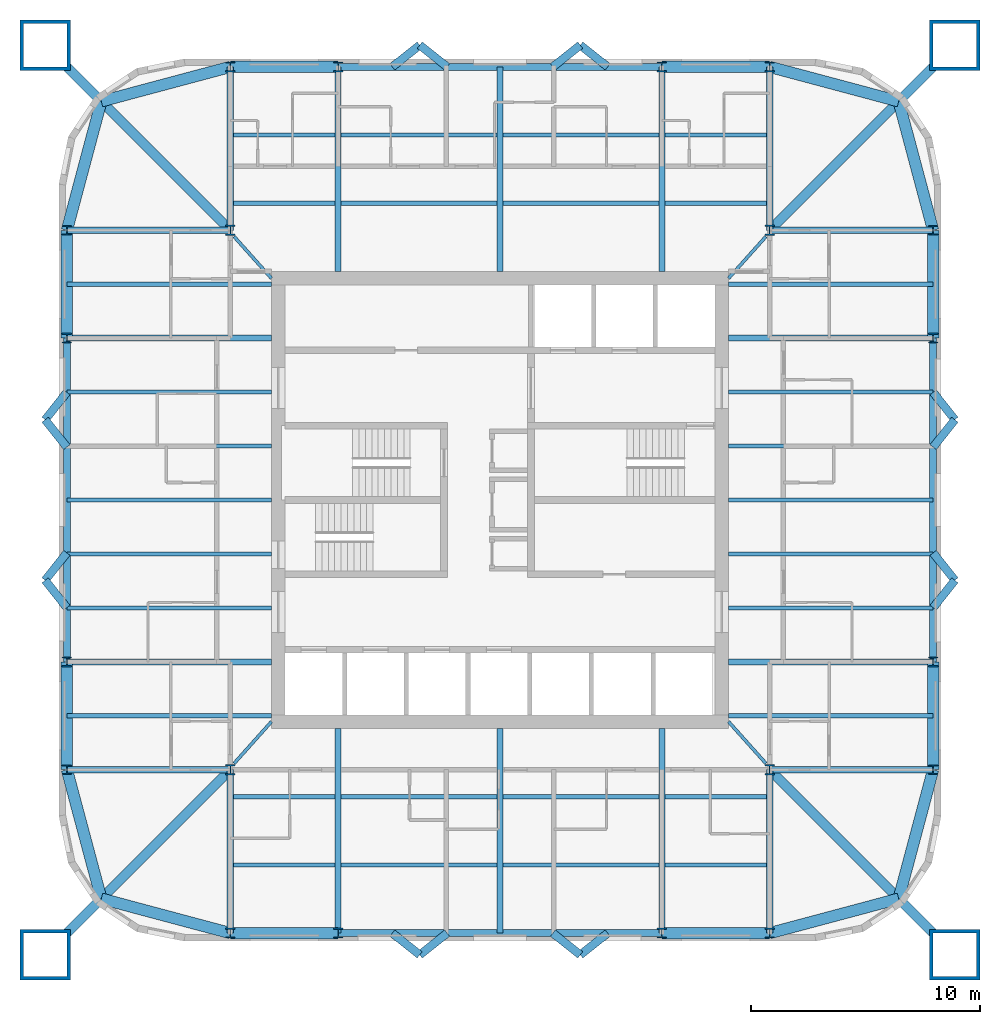
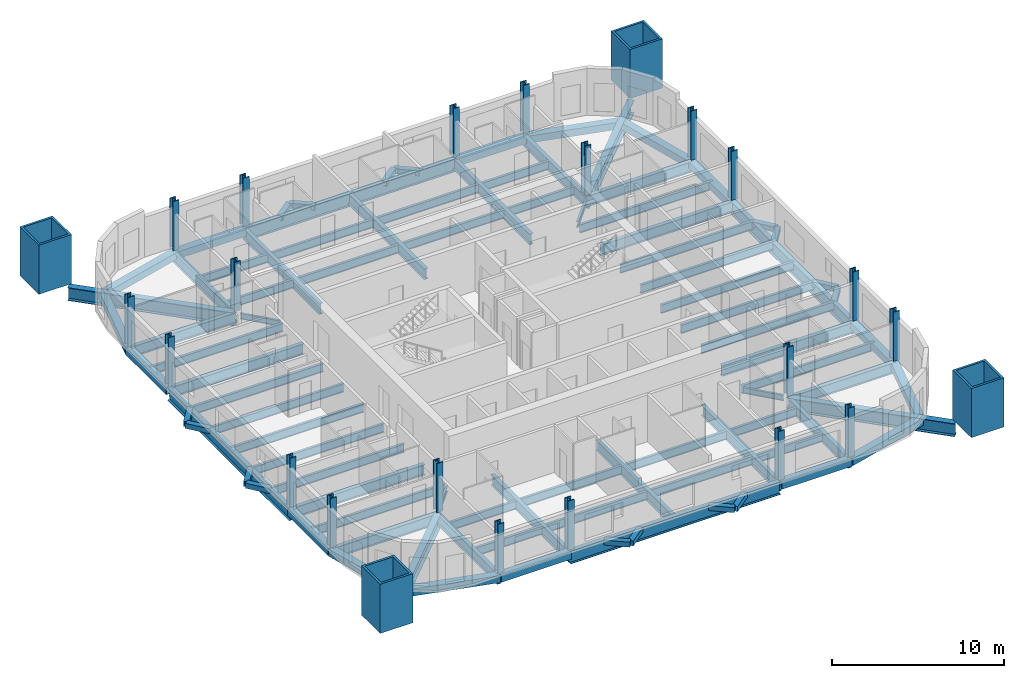
# One storey, part 1 of 9: 92 beams, 24 columns.
"""IFC4 building model written with IfcOpenShell, lengths in metres."""

from ifc_helpers import new_model, si_unit, direction, frame, origin, origin_2d, place, context, subcontext, project, spatial, hollow_rectangle, i_section, extrude, material, material_profile, profile_set, type_object, element, save


model = new_model("IFC4")

# Units and contexts
model_context = context("Model", 3, precision=1e-05, world=origin(), true_north=direction((0.0, 1.0)))
body_context = subcontext(model_context, "Body", "Model", "MODEL_VIEW")
ifc_project = project(units=[si_unit("LENGTHUNIT", "METRE"), si_unit("AREAUNIT", "SQUARE_METRE"), si_unit("VOLUMEUNIT", "CUBIC_METRE"), si_unit("PLANEANGLEUNIT", "RADIAN"), si_unit("MASSUNIT", "GRAM", prefix="KILO")], contexts=[model_context])

# Site, building, storey
site_placement = place(None, origin())
site = spatial("IfcSite", under=ifc_project, at=site_placement, CompositionType="ELEMENT")
building_placement = place(site_placement, origin())
building = spatial("IfcBuilding", under=site, at=building_placement, Name="Turquesa Mirador Hotel Tower", CompositionType="ELEMENT")
storey_placement = place(building_placement, frame((0.0, 0.0, 186.300048828125)))
storey = spatial("IfcBuildingStorey", under=building, at=storey_placement, Name="L50", CompositionType="ELEMENT", Elevation=186.300048828125)

# Columns
ifc_material_1 = material(Name="Steel ASTM A992 Grade 50", Category="steel")
ifc_material_profile_1 = material_profile(ifc_material_1, i_section(OverallWidth=0.411376953125, OverallDepth=0.434326171875, WebThickness=0.035888671875, FlangeThickness=0.057373046875, at=origin_2d()), Name="W14X311")
ifc_profile_set_1 = profile_set([ifc_material_profile_1], Name="Steel ASTM A992 Grade 50")
column_type_1 = type_object("IfcColumnType", Name="COLUMN W14X311", PredefinedType="COLUMN", material=ifc_profile_set_1)
for number, where, z_axis, x_axis, name in (
    (1, (36.050048828125, 33.199951171875, 0.0), (0.0, 0.0, 1.0), (1.0, 0.0, 0.0), "COL-L50-P--18.95--11.80"),
    (2, (36.050048828125, 37.919921875, 0.0), (0.0, 0.0, 1.0), (1.0, 0.0, 0.0), "COL-L50-P--18.95--7.08"),
    (3, (36.050048828125, 52.080078125, 0.0), (0.0, 0.0, 1.0), (1.0, 0.0, 0.0), "COL-L50-P--18.95-+7.08"),
    (4, (36.050048828125, 56.800048828125, 0.0), (0.0, 0.0, 1.0), (1.0, 0.0, 0.0), "COL-L50-P--18.95-+11.80"),
    (5, (43.199951171875, 26.050048828125, 0.0), (0.0, 0.0, 1.0), (1.0, 0.0, 0.0), "COL-L50-P--11.80--18.95"),
    (6, (43.199951171875, 63.949951171875, 0.0), (0.0, 0.0, 1.0), (1.0, 0.0, 0.0), "COL-L50-P--11.80-+18.95"),
    (7, (47.919921875, 26.050048828125, 0.0), (0.0, 0.0, 1.0), (1.0, 0.0, 0.0), "COL-L50-P--7.08--18.95"),
    (8, (47.919921875, 63.949951171875, 0.0), (0.0, 0.0, 1.0), (1.0, 0.0, 0.0), "COL-L50-P--7.08-+18.95"),
    (9, (62.080078125, 26.050048828125, 0.0), (0.0, 0.0, 1.0), (1.0, 0.0, 0.0), "COL-L50-P-+7.08--18.95"),
    (10, (62.080078125, 63.949951171875, 0.0), (0.0, 0.0, 1.0), (1.0, 0.0, 0.0), "COL-L50-P-+7.08-+18.95"),
    (11, (66.800048828125, 26.050048828125, 0.0), (0.0, 0.0, 1.0), (1.0, 0.0, 0.0), "COL-L50-P-+11.80--18.95"),
    (12, (66.800048828125, 63.949951171875, 0.0), (0.0, 0.0, 1.0), (1.0, 0.0, 0.0), "COL-L50-P-+11.80-+18.95"),
    (13, (73.949951171875, 33.199951171875, 0.0), (0.0, 0.0, 1.0), (1.0, 0.0, 0.0), "COL-L50-P-+18.95--11.80"),
    (14, (73.949951171875, 37.919921875, 0.0), (0.0, 0.0, 1.0), (1.0, 0.0, 0.0), "COL-L50-P-+18.95--7.08"),
    (15, (73.949951171875, 52.080078125, 0.0), (0.0, 0.0, 1.0), (1.0, 0.0, 0.0), "COL-L50-P-+18.95-+7.08"),
    (16, (73.949951171875, 56.800048828125, 0.0), (0.0, 0.0, 1.0), (1.0, 0.0, 0.0), "COL-L50-P-+18.95-+11.80"),
):
    element("IfcColumn", number, at=place(storey_placement, frame(where, z_axis=z_axis, x_axis=x_axis)), inside=storey, type_object=column_type_1, Name=name, PredefinedType="COLUMN", context=body_context, shape_type="SweptSolid", body=[
        extrude(i_section(OverallWidth=0.411376953125, OverallDepth=0.434326171875, WebThickness=0.035888671875, FlangeThickness=0.057373046875, at=origin_2d()), origin(), (0.0, 0.0, 1.0), 3.5),
    ])
ifc_material_2 = material(Name="Steel ASTM A992 Grade 50", Category="steel")
ifc_material_profile_2 = material_profile(ifc_material_2, i_section(OverallWidth=0.421630859375, OverallDepth=0.46484375, WebThickness=0.044921875, FlangeThickness=0.072509765625, at=origin_2d()), Name="W14X398")
ifc_profile_set_2 = profile_set([ifc_material_profile_2], Name="Steel ASTM A992 Grade 50")
column_type_2 = type_object("IfcColumnType", Name="COLUMN W14X398", PredefinedType="COLUMN", material=ifc_profile_set_2)
for number, where, z_axis, x_axis, name in (
    (17, (43.199951171875, 33.199951171875, 0.0), (0.0, 0.0, 1.0), (1.0, 0.0, 0.0), "COL-L50-K--11.80--11.80"),
    (18, (43.199951171875, 56.800048828125, 0.0), (0.0, 0.0, 1.0), (1.0, 0.0, 0.0), "COL-L50-K--11.80-+11.80"),
    (19, (66.800048828125, 33.199951171875, 0.0), (0.0, 0.0, 1.0), (1.0, 0.0, 0.0), "COL-L50-K-+11.80--11.80"),
    (20, (66.800048828125, 56.800048828125, 0.0), (0.0, 0.0, 1.0), (1.0, 0.0, 0.0), "COL-L50-K-+11.80-+11.80"),
):
    element("IfcColumn", number, at=place(storey_placement, frame(where, z_axis=z_axis, x_axis=x_axis)), inside=storey, type_object=column_type_2, Name=name, PredefinedType="COLUMN", context=body_context, shape_type="SweptSolid", body=[
        extrude(i_section(OverallWidth=0.421630859375, OverallDepth=0.46484375, WebThickness=0.044921875, FlangeThickness=0.072509765625, at=origin_2d()), origin(), (0.0, 0.0, 1.0), 3.5),
    ])
ifc_material_3 = material(Name="Steel ASTM A514 Grade Q", Category="steel")
ifc_material_profile_3 = material_profile(ifc_material_3, hollow_rectangle(XDim=2.199951171875, YDim=2.199951171875, WallThickness=0.14990234375, at=origin_2d()), Name="BOX2200X2200X150")
ifc_profile_set_3 = profile_set([ifc_material_profile_3], Name="Steel ASTM A514 Grade Q")
column_type_3 = type_object("IfcColumnType", Name="MEGA COLUMN BOX2200X2200X150", PredefinedType="COLUMN", material=ifc_profile_set_3)
for number, where, z_axis, x_axis, name in (
    (21, (74.89990234375, 64.89990234375, 0.0), (0.0, 0.0, 1.0), (1.0, 0.0, 0.0), "Mega column M1"),
    (22, (35.10009765625, 64.89990234375, 0.0), (0.0, 0.0, 1.0), (1.0, 0.0, 0.0), "Mega column M2"),
    (23, (35.10009765625, 25.10009765625, 0.0), (0.0, 0.0, 1.0), (1.0, 0.0, 0.0), "Mega column M3"),
    (24, (74.89990234375, 25.10009765625, 0.0), (0.0, 0.0, 1.0), (1.0, 0.0, 0.0), "Mega column M4"),
):
    element("IfcColumn", number, at=place(storey_placement, frame(where, z_axis=z_axis, x_axis=x_axis)), inside=storey, type_object=column_type_3, Name=name, PredefinedType="COLUMN", context=body_context, shape_type="SweptSolid", body=[
        extrude(hollow_rectangle(XDim=2.199951171875, YDim=2.199951171875, WallThickness=0.14990234375, at=origin_2d()), origin(), (0.0, 0.0, 1.0), 3.5),
    ])

# Beams
ifc_material_4 = material(Name="Steel ASTM A572 Grade 50", Category="steel")
ifc_material_profile_4 = material_profile(ifc_material_4, hollow_rectangle(XDim=0.5, YDim=0.5, WallThickness=0.01611328125, at=origin_2d()), Name="BOX500X500X16")
ifc_profile_set_4 = profile_set([ifc_material_profile_4], Name="Steel ASTM A572 Grade 50")
beam_type_1 = type_object("IfcBeamType", Name="BEAM BOX500X500X16", PredefinedType="BEAM", material=ifc_profile_set_4)
for number, where, z_axis, x_axis, name in (
    (25, (43.199951171875, 63.949951171875, -0.420166015625), (1.0, 0.0, 0.0), (0.0, 1.0, 0.0), "EB-L50-N-L"),
    (26, (62.080078125, 63.949951171875, -0.420166015625), (1.0, 0.0, 0.0), (0.0, 1.0, 0.0), "EB-L50-N-R"),
    (27, (43.199951171875, 26.050048828125, -0.420166015625), (1.0, 0.0, 0.0), (0.0, 1.0, 0.0), "EB-L50-S-L"),
    (28, (62.080078125, 26.050048828125, -0.420166015625), (1.0, 0.0, 0.0), (0.0, 1.0, 0.0), "EB-L50-S-R"),
    (29, (73.949951171875, 33.199951171875, -0.420166015625), (0.0, 1.0, 0.0), (-1.0, 0.0, 0.0), "EB-L50-E-L"),
    (30, (73.949951171875, 52.080078125, -0.420166015625), (0.0, 1.0, 0.0), (-1.0, 0.0, 0.0), "EB-L50-E-R"),
    (31, (36.050048828125, 33.199951171875, -0.420166015625), (0.0, 1.0, 0.0), (-1.0, 0.0, 0.0), "EB-L50-W-L"),
    (32, (36.050048828125, 52.080078125, -0.420166015625), (0.0, 1.0, 0.0), (-1.0, 0.0, 0.0), "EB-L50-W-R"),
):
    element("IfcBeam", number, at=place(storey_placement, frame(where, z_axis=z_axis, x_axis=x_axis)), inside=storey, type_object=beam_type_1, Name=name, PredefinedType="BEAM", context=body_context, shape_type="SweptSolid", body=[
        extrude(hollow_rectangle(XDim=0.5, YDim=0.5, WallThickness=0.01611328125, at=origin_2d()), origin(), (0.0, 0.0, 1.0), 4.719970703125),
    ])
for number, where, z_axis, x_axis, name in (
    (33, (73.949951171875, 56.800048828125, -0.420166015625), (-0.258281892145, 0.966069595935, 0.0), (-0.966069595935, -0.258281892145, 0.0), "KE-L50-1-0"),
    (34, (72.441650390625, 62.441650390625, -0.420166015625), (-0.966069595935, 0.258281892145, 0.0), (-0.258281892145, -0.966069595935, 0.0), "KE-L50-1-1"),
    (35, (36.050048828125, 56.800048828125, -0.420166015625), (0.258281892145, 0.966069595935, 0.0), (-0.966069595935, 0.258281892145, 0.0), "KE-L50-2-0"),
    (36, (37.558349609375, 62.441650390625, -0.420166015625), (0.966069595935, 0.258281892145, 0.0), (-0.258281892145, 0.966069595935, 0.0), "KE-L50-2-1"),
    (37, (36.050048828125, 33.199951171875, -0.420166015625), (0.258281892145, -0.966069595935, 0.0), (0.966069595935, 0.258281892145, 0.0), "KE-L50-3-0"),
    (38, (37.558349609375, 27.558349609375, -0.420166015625), (0.966069595935, -0.258281892145, 0.0), (0.258281892145, 0.966069595935, 0.0), "KE-L50-3-1"),
    (39, (73.949951171875, 33.199951171875, -0.420166015625), (-0.258281892145, -0.966069595935, 0.0), (0.966069595935, -0.258281892145, 0.0), "KE-L50-4-0"),
    (40, (72.441650390625, 27.558349609375, -0.420166015625), (-0.966069595935, -0.258281892145, 0.0), (0.258281892145, -0.966069595935, 0.0), "KE-L50-4-1"),
):
    element("IfcBeam", number, at=place(storey_placement, frame(where, z_axis=z_axis, x_axis=x_axis)), inside=storey, type_object=beam_type_1, Name=name, PredefinedType="BEAM", context=body_context, shape_type="SweptSolid", body=[
        extrude(hollow_rectangle(XDim=0.5, YDim=0.5, WallThickness=0.01611328125, at=origin_2d()), origin(), (0.0, 0.0, 1.0), 5.83984375),
    ])
ifc_material_5 = material(Name="Steel ASTM A992 Grade 50", Category="steel")
ifc_material_profile_5 = material_profile(ifc_material_5, i_section(OverallWidth=0.140380859375, OverallDepth=0.40380859375, WebThickness=0.007080078125, FlangeThickness=0.01123046875, at=origin_2d()), Name="W16X31")
ifc_profile_set_5 = profile_set([ifc_material_profile_5], Name="Steel ASTM A992 Grade 50")
beam_type_2 = type_object("IfcBeamType", Name="BEAM W16X31", PredefinedType="BEAM", material=ifc_profile_set_5)
for number, where, z_axis, x_axis, name in (
    (41, (66.634765625, 56.527099609375, -0.3720703125), (-0.666783216266, -0.745251730964, 0.0), (0.745251730964, -0.666783216266, 0.0), "KT-L50-1"),
    (42, (43.365234375, 56.527099609375, -0.3720703125), (0.666783216266, -0.745251730964, 0.0), (0.745251730964, 0.666783216266, 0.0), "KT-L50-2"),
    (43, (43.365234375, 33.472900390625, -0.3720703125), (0.666783216266, 0.745251730964, 0.0), (-0.745251730964, 0.666783216266, 0.0), "KT-L50-3"),
    (44, (66.634765625, 33.472900390625, -0.3720703125), (-0.666783216266, 0.745251730964, 0.0), (-0.745251730964, -0.666783216266, 0.0), "KT-L50-4"),
):
    element("IfcBeam", number, at=place(storey_placement, frame(where, z_axis=z_axis, x_axis=x_axis)), inside=storey, type_object=beam_type_2, Name=name, PredefinedType="BEAM", context=body_context, shape_type="SweptSolid", body=[
        extrude(i_section(OverallWidth=0.140380859375, OverallDepth=0.40380859375, WebThickness=0.007080078125, FlangeThickness=0.01123046875, at=origin_2d()), origin(), (0.0, 0.0, 1.0), 2.45166015625),
    ])
ifc_material_6 = material(Name="Steel ASTM A992 Grade 50", Category="steel")
ifc_material_profile_6 = material_profile(ifc_material_6, i_section(OverallWidth=0.177978515625, OverallDepth=0.599365234375, WebThickness=0.010009765625, FlangeThickness=0.012939453125, at=origin_2d()), Name="W24X55")
ifc_profile_set_6 = profile_set([ifc_material_profile_6], Name="Steel ASTM A992 Grade 50")
beam_type_3 = type_object("IfcBeamType", Name="BEAM W24X55", PredefinedType="BEAM", material=ifc_profile_set_6)
beam_1_placement = place(storey_placement, frame((43.333251953125, 57.98291015625, -0.4697265625), z_axis=(1.0, 0.0, 0.0), x_axis=(0.0, 1.0, 0.0)))
element("IfcBeam", 45, at=beam_1_placement, inside=storey, type_object=beam_type_3, Name="IB-L50-N-1-0", PredefinedType="BEAM", context=body_context, shape_type="SweptSolid", body=[
    extrude(i_section(OverallWidth=0.177978515625, OverallDepth=0.599365234375, WebThickness=0.010009765625, FlangeThickness=0.012939453125, at=origin_2d()), origin(), (0.0, 0.0, 1.0), 4.453369140625),
])
for number, where, z_axis, x_axis, name in (
    (46, (48.053466796875, 57.98291015625, -0.4697265625), (1.0, 0.0, 0.0), (0.0, 1.0, 0.0), "IB-L50-N-1-1"),
    (47, (55.13330078125, 57.98291015625, -0.4697265625), (1.0, 0.0, 0.0), (0.0, 1.0, 0.0), "IB-L50-N-1-2"),
):
    element("IfcBeam", number, at=place(storey_placement, frame(where, z_axis=z_axis, x_axis=x_axis)), inside=storey, type_object=beam_type_3, Name=name, PredefinedType="BEAM", context=body_context, shape_type="SweptSolid", body=[
        extrude(i_section(OverallWidth=0.177978515625, OverallDepth=0.599365234375, WebThickness=0.010009765625, FlangeThickness=0.012939453125, at=origin_2d()), origin(), (0.0, 0.0, 1.0), 6.813232421875),
    ])
for number, where, z_axis, x_axis, name in (
    (48, (62.21337890625, 57.98291015625, -0.4697265625), (1.0, 0.0, 0.0), (0.0, 1.0, 0.0), "IB-L50-N-1-3"),
    (49, (43.333251953125, 60.967041015625, -0.4697265625), (1.0, 0.0, 0.0), (0.0, 1.0, 0.0), "IB-L50-N-2-0"),
):
    element("IfcBeam", number, at=place(storey_placement, frame(where, z_axis=z_axis, x_axis=x_axis)), inside=storey, type_object=beam_type_3, Name=name, PredefinedType="BEAM", context=body_context, shape_type="SweptSolid", body=[
        extrude(i_section(OverallWidth=0.177978515625, OverallDepth=0.599365234375, WebThickness=0.010009765625, FlangeThickness=0.012939453125, at=origin_2d()), origin(), (0.0, 0.0, 1.0), 4.453369140625),
    ])
for number, where, z_axis, x_axis, name in (
    (50, (48.053466796875, 60.967041015625, -0.4697265625), (1.0, 0.0, 0.0), (0.0, 1.0, 0.0), "IB-L50-N-2-1"),
    (51, (55.13330078125, 60.967041015625, -0.4697265625), (1.0, 0.0, 0.0), (0.0, 1.0, 0.0), "IB-L50-N-2-2"),
):
    element("IfcBeam", number, at=place(storey_placement, frame(where, z_axis=z_axis, x_axis=x_axis)), inside=storey, type_object=beam_type_3, Name=name, PredefinedType="BEAM", context=body_context, shape_type="SweptSolid", body=[
        extrude(i_section(OverallWidth=0.177978515625, OverallDepth=0.599365234375, WebThickness=0.010009765625, FlangeThickness=0.012939453125, at=origin_2d()), origin(), (0.0, 0.0, 1.0), 6.813232421875),
    ])
for number, where, z_axis, x_axis, name in (
    (52, (62.21337890625, 60.967041015625, -0.4697265625), (1.0, 0.0, 0.0), (0.0, 1.0, 0.0), "IB-L50-N-2-3"),
    (53, (43.333251953125, 32.01708984375, -0.4697265625), (1.0, 0.0, 0.0), (0.0, 1.0, 0.0), "IB-L50-S-1-0"),
):
    element("IfcBeam", number, at=place(storey_placement, frame(where, z_axis=z_axis, x_axis=x_axis)), inside=storey, type_object=beam_type_3, Name=name, PredefinedType="BEAM", context=body_context, shape_type="SweptSolid", body=[
        extrude(i_section(OverallWidth=0.177978515625, OverallDepth=0.599365234375, WebThickness=0.010009765625, FlangeThickness=0.012939453125, at=origin_2d()), origin(), (0.0, 0.0, 1.0), 4.453369140625),
    ])
for number, where, z_axis, x_axis, name in (
    (54, (48.053466796875, 32.01708984375, -0.4697265625), (1.0, 0.0, 0.0), (0.0, 1.0, 0.0), "IB-L50-S-1-1"),
    (55, (55.13330078125, 32.01708984375, -0.4697265625), (1.0, 0.0, 0.0), (0.0, 1.0, 0.0), "IB-L50-S-1-2"),
):
    element("IfcBeam", number, at=place(storey_placement, frame(where, z_axis=z_axis, x_axis=x_axis)), inside=storey, type_object=beam_type_3, Name=name, PredefinedType="BEAM", context=body_context, shape_type="SweptSolid", body=[
        extrude(i_section(OverallWidth=0.177978515625, OverallDepth=0.599365234375, WebThickness=0.010009765625, FlangeThickness=0.012939453125, at=origin_2d()), origin(), (0.0, 0.0, 1.0), 6.813232421875),
    ])
for number, where, z_axis, x_axis, name in (
    (56, (62.21337890625, 32.01708984375, -0.4697265625), (1.0, 0.0, 0.0), (0.0, 1.0, 0.0), "IB-L50-S-1-3"),
    (57, (43.333251953125, 29.032958984375, -0.4697265625), (1.0, 0.0, 0.0), (0.0, 1.0, 0.0), "IB-L50-S-2-0"),
):
    element("IfcBeam", number, at=place(storey_placement, frame(where, z_axis=z_axis, x_axis=x_axis)), inside=storey, type_object=beam_type_3, Name=name, PredefinedType="BEAM", context=body_context, shape_type="SweptSolid", body=[
        extrude(i_section(OverallWidth=0.177978515625, OverallDepth=0.599365234375, WebThickness=0.010009765625, FlangeThickness=0.012939453125, at=origin_2d()), origin(), (0.0, 0.0, 1.0), 4.453369140625),
    ])
for number, where, z_axis, x_axis, name in (
    (58, (48.053466796875, 29.032958984375, -0.4697265625), (1.0, 0.0, 0.0), (0.0, 1.0, 0.0), "IB-L50-S-2-1"),
    (59, (55.13330078125, 29.032958984375, -0.4697265625), (1.0, 0.0, 0.0), (0.0, 1.0, 0.0), "IB-L50-S-2-2"),
):
    element("IfcBeam", number, at=place(storey_placement, frame(where, z_axis=z_axis, x_axis=x_axis)), inside=storey, type_object=beam_type_3, Name=name, PredefinedType="BEAM", context=body_context, shape_type="SweptSolid", body=[
        extrude(i_section(OverallWidth=0.177978515625, OverallDepth=0.599365234375, WebThickness=0.010009765625, FlangeThickness=0.012939453125, at=origin_2d()), origin(), (0.0, 0.0, 1.0), 6.813232421875),
    ])
beam_2_placement = place(storey_placement, frame((62.21337890625, 29.032958984375, -0.4697265625), z_axis=(1.0, 0.0, 0.0), x_axis=(0.0, 1.0, 0.0)))
element("IfcBeam", 60, at=beam_2_placement, inside=storey, type_object=beam_type_3, Name="IB-L50-S-2-3", PredefinedType="BEAM", context=body_context, shape_type="SweptSolid", body=[
    extrude(i_section(OverallWidth=0.177978515625, OverallDepth=0.599365234375, WebThickness=0.010009765625, FlangeThickness=0.012939453125, at=origin_2d()), origin(), (0.0, 0.0, 1.0), 4.453369140625),
])
for number, where, z_axis, x_axis, name in (
    (61, (73.949951171875, 35.56005859375, -0.4697265625), (-1.0, 0.0, 0.0), (0.0, -1.0, 0.0), "BM-L50-E--9.44"),
    (62, (73.949951171875, 40.280029296875, -0.4697265625), (-1.0, 0.0, 0.0), (0.0, -1.0, 0.0), "BM-L50-E--4.72"),
    (63, (73.949951171875, 42.639892578125, -0.4697265625), (-1.0, 0.0, 0.0), (0.0, -1.0, 0.0), "BM-L50-E--2.36"),
    (64, (73.949951171875, 45.0, -0.4697265625), (-1.0, 0.0, 0.0), (0.0, -1.0, 0.0), "BM-L50-E-+0.00"),
    (65, (73.949951171875, 47.360107421875, -0.4697265625), (-1.0, 0.0, 0.0), (0.0, -1.0, 0.0), "BM-L50-E-+2.36"),
    (66, (73.949951171875, 49.719970703125, -0.4697265625), (-1.0, 0.0, 0.0), (0.0, -1.0, 0.0), "BM-L50-E-+4.72"),
    (67, (73.949951171875, 54.43994140625, -0.4697265625), (-1.0, 0.0, 0.0), (0.0, -1.0, 0.0), "BM-L50-E-+9.44"),
    (68, (36.050048828125, 35.56005859375, -0.4697265625), (1.0, 0.0, 0.0), (0.0, 1.0, 0.0), "BM-L50-W--9.44"),
    (69, (36.050048828125, 40.280029296875, -0.4697265625), (1.0, 0.0, 0.0), (0.0, 1.0, 0.0), "BM-L50-W--4.72"),
    (70, (36.050048828125, 42.639892578125, -0.4697265625), (1.0, 0.0, 0.0), (0.0, 1.0, 0.0), "BM-L50-W--2.36"),
    (71, (36.050048828125, 45.0, -0.4697265625), (1.0, 0.0, 0.0), (0.0, 1.0, 0.0), "BM-L50-W-+0.00"),
    (72, (36.050048828125, 47.360107421875, -0.4697265625), (1.0, 0.0, 0.0), (0.0, 1.0, 0.0), "BM-L50-W-+2.36"),
    (73, (36.050048828125, 49.719970703125, -0.4697265625), (1.0, 0.0, 0.0), (0.0, 1.0, 0.0), "BM-L50-W-+4.72"),
    (74, (36.050048828125, 54.43994140625, -0.4697265625), (1.0, 0.0, 0.0), (0.0, 1.0, 0.0), "BM-L50-W-+9.44"),
):
    element("IfcBeam", number, at=place(storey_placement, frame(where, z_axis=z_axis, x_axis=x_axis)), inside=storey, type_object=beam_type_3, Name=name, PredefinedType="BEAM", context=body_context, shape_type="SweptSolid", body=[
        extrude(i_section(OverallWidth=0.177978515625, OverallDepth=0.599365234375, WebThickness=0.010009765625, FlangeThickness=0.012939453125, at=origin_2d()), origin(), (0.0, 0.0, 1.0), 8.949951171875),
    ])
ifc_material_7 = material(Name="Steel ASTM A992 Grade 50", Category="steel")
ifc_material_profile_7 = material_profile(ifc_material_7, i_section(OverallWidth=0.2666015625, OverallDepth=0.7568359375, WebThickness=0.013916015625, FlangeThickness=0.019287109375, at=origin_2d()), Name="W30X108")
ifc_profile_set_7 = profile_set([ifc_material_profile_7], Name="Steel ASTM A992 Grade 50")
beam_type_4 = type_object("IfcBeamType", Name="BEAM W30X108", PredefinedType="BEAM", material=ifc_profile_set_7)
for number, where, z_axis, x_axis, name in (
    (75, (47.919921875, 63.949951171875, -0.548583984375), (0.0, -1.0, 0.0), (1.0, 0.0, 0.0), "GD-L50-N--7.08"),
    (76, (62.080078125, 63.949951171875, -0.548583984375), (0.0, -1.0, 0.0), (1.0, 0.0, 0.0), "GD-L50-N-+7.08"),
    (77, (55.0, 63.949951171875, -0.548583984375), (0.0, -1.0, 0.0), (1.0, 0.0, 0.0), "GD-L50-N-+0.00"),
):
    element("IfcBeam", number, at=place(storey_placement, frame(where, z_axis=z_axis, x_axis=x_axis)), inside=storey, type_object=beam_type_4, Name=name, PredefinedType="BEAM", context=body_context, shape_type="SweptSolid", body=[
        extrude(i_section(OverallWidth=0.2666015625, OverallDepth=0.7568359375, WebThickness=0.013916015625, FlangeThickness=0.019287109375, at=origin_2d()), origin(), (0.0, 0.0, 1.0), 8.949951171875),
    ])
for number, where, z_axis, x_axis, name in (
    (78, (43.199951171875, 63.949951171875, -0.548583984375), (0.0, -1.0, 0.0), (1.0, 0.0, 0.0), "GK-L50-N--11.80"),
    (79, (66.800048828125, 63.949951171875, -0.548583984375), (0.0, -1.0, 0.0), (1.0, 0.0, 0.0), "GK-L50-N-+11.80"),
):
    element("IfcBeam", number, at=place(storey_placement, frame(where, z_axis=z_axis, x_axis=x_axis)), inside=storey, type_object=beam_type_4, Name=name, PredefinedType="BEAM", context=body_context, shape_type="SweptSolid", body=[
        extrude(i_section(OverallWidth=0.2666015625, OverallDepth=0.7568359375, WebThickness=0.013916015625, FlangeThickness=0.019287109375, at=origin_2d()), origin(), (0.0, 0.0, 1.0), 7.14990234375),
    ])
for number, where, z_axis, x_axis, name in (
    (80, (47.919921875, 26.050048828125, -0.548583984375), (0.0, 1.0, 0.0), (-1.0, 0.0, 0.0), "GD-L50-S--7.08"),
    (81, (62.080078125, 26.050048828125, -0.548583984375), (0.0, 1.0, 0.0), (-1.0, 0.0, 0.0), "GD-L50-S-+7.08"),
    (82, (55.0, 26.050048828125, -0.548583984375), (0.0, 1.0, 0.0), (-1.0, 0.0, 0.0), "GD-L50-S-+0.00"),
):
    element("IfcBeam", number, at=place(storey_placement, frame(where, z_axis=z_axis, x_axis=x_axis)), inside=storey, type_object=beam_type_4, Name=name, PredefinedType="BEAM", context=body_context, shape_type="SweptSolid", body=[
        extrude(i_section(OverallWidth=0.2666015625, OverallDepth=0.7568359375, WebThickness=0.013916015625, FlangeThickness=0.019287109375, at=origin_2d()), origin(), (0.0, 0.0, 1.0), 8.949951171875),
    ])
for number, where, z_axis, x_axis, name in (
    (83, (43.199951171875, 26.050048828125, -0.548583984375), (0.0, 1.0, 0.0), (-1.0, 0.0, 0.0), "GK-L50-S--11.80"),
    (84, (66.800048828125, 26.050048828125, -0.548583984375), (0.0, 1.0, 0.0), (-1.0, 0.0, 0.0), "GK-L50-S-+11.80"),
):
    element("IfcBeam", number, at=place(storey_placement, frame(where, z_axis=z_axis, x_axis=x_axis)), inside=storey, type_object=beam_type_4, Name=name, PredefinedType="BEAM", context=body_context, shape_type="SweptSolid", body=[
        extrude(i_section(OverallWidth=0.2666015625, OverallDepth=0.7568359375, WebThickness=0.013916015625, FlangeThickness=0.019287109375, at=origin_2d()), origin(), (0.0, 0.0, 1.0), 7.14990234375),
    ])
for number, where, z_axis, x_axis, name in (
    (85, (73.949951171875, 37.919921875, -0.548583984375), (-1.0, 0.0, 0.0), (0.0, -1.0, 0.0), "GD-L50-E--7.08"),
    (86, (73.949951171875, 52.080078125, -0.548583984375), (-1.0, 0.0, 0.0), (0.0, -1.0, 0.0), "GD-L50-E-+7.08"),
):
    element("IfcBeam", number, at=place(storey_placement, frame(where, z_axis=z_axis, x_axis=x_axis)), inside=storey, type_object=beam_type_4, Name=name, PredefinedType="BEAM", context=body_context, shape_type="SweptSolid", body=[
        extrude(i_section(OverallWidth=0.2666015625, OverallDepth=0.7568359375, WebThickness=0.013916015625, FlangeThickness=0.019287109375, at=origin_2d()), origin(), (0.0, 0.0, 1.0), 8.949951171875),
    ])
for number, where, z_axis, x_axis, name in (
    (87, (73.949951171875, 33.199951171875, -0.548583984375), (-1.0, 0.0, 0.0), (0.0, -1.0, 0.0), "GK-L50-E--11.80"),
    (88, (73.949951171875, 56.800048828125, -0.548583984375), (-1.0, 0.0, 0.0), (0.0, -1.0, 0.0), "GK-L50-E-+11.80"),
):
    element("IfcBeam", number, at=place(storey_placement, frame(where, z_axis=z_axis, x_axis=x_axis)), inside=storey, type_object=beam_type_4, Name=name, PredefinedType="BEAM", context=body_context, shape_type="SweptSolid", body=[
        extrude(i_section(OverallWidth=0.2666015625, OverallDepth=0.7568359375, WebThickness=0.013916015625, FlangeThickness=0.019287109375, at=origin_2d()), origin(), (0.0, 0.0, 1.0), 7.14990234375),
    ])
for number, where, z_axis, x_axis, name in (
    (89, (36.050048828125, 37.919921875, -0.548583984375), (1.0, 0.0, 0.0), (0.0, 1.0, 0.0), "GD-L50-W--7.08"),
    (90, (36.050048828125, 52.080078125, -0.548583984375), (1.0, 0.0, 0.0), (0.0, 1.0, 0.0), "GD-L50-W-+7.08"),
):
    element("IfcBeam", number, at=place(storey_placement, frame(where, z_axis=z_axis, x_axis=x_axis)), inside=storey, type_object=beam_type_4, Name=name, PredefinedType="BEAM", context=body_context, shape_type="SweptSolid", body=[
        extrude(i_section(OverallWidth=0.2666015625, OverallDepth=0.7568359375, WebThickness=0.013916015625, FlangeThickness=0.019287109375, at=origin_2d()), origin(), (0.0, 0.0, 1.0), 8.949951171875),
    ])
for number, where, z_axis, x_axis, name in (
    (91, (36.050048828125, 33.199951171875, -0.548583984375), (1.0, 0.0, 0.0), (0.0, 1.0, 0.0), "GK-L50-W--11.80"),
    (92, (36.050048828125, 56.800048828125, -0.548583984375), (1.0, 0.0, 0.0), (0.0, 1.0, 0.0), "GK-L50-W-+11.80"),
):
    element("IfcBeam", number, at=place(storey_placement, frame(where, z_axis=z_axis, x_axis=x_axis)), inside=storey, type_object=beam_type_4, Name=name, PredefinedType="BEAM", context=body_context, shape_type="SweptSolid", body=[
        extrude(i_section(OverallWidth=0.2666015625, OverallDepth=0.7568359375, WebThickness=0.013916015625, FlangeThickness=0.019287109375, at=origin_2d()), origin(), (0.0, 0.0, 1.0), 7.14990234375),
    ])
ifc_material_8 = material(Name="Steel ASTM A992 Grade 50", Category="steel")
ifc_material_profile_8 = material_profile(ifc_material_8, i_section(OverallWidth=0.3046875, OverallDepth=0.911865234375, WebThickness=0.015869140625, FlangeThickness=0.02392578125, at=origin_2d()), Name="W36X150")
ifc_profile_set_8 = profile_set([ifc_material_profile_8], Name="Steel ASTM A992 Grade 50")
beam_type_5 = type_object("IfcBeamType", Name="BEAM W36X150", PredefinedType="BEAM", material=ifc_profile_set_8)
for number, where, z_axis, x_axis, name in (
    (93, (47.919921875, 63.949951171875, -0.6259765625), (1.0, 0.0, 0.0), (0.0, 1.0, 0.0), "EB-L50-N-C"),
    (94, (47.919921875, 26.050048828125, -0.6259765625), (1.0, 0.0, 0.0), (0.0, 1.0, 0.0), "EB-L50-S-C"),
    (95, (73.949951171875, 37.919921875, -0.6259765625), (0.0, 1.0, 0.0), (-1.0, 0.0, 0.0), "EB-L50-E-C"),
    (96, (36.050048828125, 37.919921875, -0.6259765625), (0.0, 1.0, 0.0), (-1.0, 0.0, 0.0), "EB-L50-W-C"),
):
    element("IfcBeam", number, at=place(storey_placement, frame(where, z_axis=z_axis, x_axis=x_axis)), inside=storey, type_object=beam_type_5, Name=name, PredefinedType="BEAM", context=body_context, shape_type="SweptSolid", body=[
        extrude(i_section(OverallWidth=0.3046875, OverallDepth=0.911865234375, WebThickness=0.015869140625, FlangeThickness=0.02392578125, at=origin_2d()), origin(), (0.0, 0.0, 1.0), 14.16015625),
    ])
ifc_material_9 = material(Name="Steel ASTM A992 Grade 50", Category="steel")
ifc_material_profile_9 = material_profile(ifc_material_9, i_section(OverallWidth=0.419189453125, OverallDepth=0.927001953125, WebThickness=0.019287109375, FlangeThickness=0.031982421875, at=origin_2d()), Name="W36X231")
ifc_profile_set_9 = profile_set([ifc_material_profile_9], Name="Steel ASTM A992 Grade 50")
beam_type_6 = type_object("IfcBeamType", Name="BEAM W36X231", PredefinedType="BEAM", material=ifc_profile_set_9)
for number, where, z_axis, x_axis, name in (
    (97, (66.800048828125, 56.800048828125, -0.633544921875), (0.707106781187, 0.707106781187, 0.0), (-0.707106781187, 0.707106781187, 0.0), "KD-L50-1"),
    (98, (43.199951171875, 56.800048828125, -0.633544921875), (-0.707106781187, 0.707106781187, 0.0), (-0.707106781187, -0.707106781187, 0.0), "KD-L50-2"),
    (99, (43.199951171875, 33.199951171875, -0.633544921875), (-0.707106781187, -0.707106781187, 0.0), (0.707106781187, -0.707106781187, 0.0), "KD-L50-3"),
    (100, (66.800048828125, 33.199951171875, -0.633544921875), (0.707106781187, -0.707106781187, 0.0), (0.707106781187, 0.707106781187, 0.0), "KD-L50-4"),
):
    element("IfcBeam", number, at=place(storey_placement, frame(where, z_axis=z_axis, x_axis=x_axis)), inside=storey, type_object=beam_type_6, Name=name, PredefinedType="BEAM", context=body_context, shape_type="SweptSolid", body=[
        extrude(i_section(OverallWidth=0.419189453125, OverallDepth=0.927001953125, WebThickness=0.019287109375, FlangeThickness=0.031982421875, at=origin_2d()), origin(), (0.0, 0.0, 1.0), 10.080322265625),
    ])
ifc_material_10 = material(Name="Steel ASTM A500 Grade C", Category="steel")
ifc_material_profile_10 = material_profile(ifc_material_10, hollow_rectangle(XDim=0.355712890625, YDim=0.355712890625, WallThickness=0.0146484375, at=origin_2d()), Name="HSS14X14X5/8")
ifc_profile_set_10 = profile_set([ifc_material_profile_10], Name="Steel ASTM A500 Grade C")
beam_type_7 = type_object("IfcBeamType", Name="BRACE STRUT HSS14X14X5/8", PredefinedType="BEAM", material=ifc_profile_set_10)
for number, where, z_axis, x_axis, name in (
    (101, (51.48828125, 64.89990234375, -0.347900390625), (-0.784049059149, -0.620698858423, 0.0), (0.620698858423, -0.784049059149, 0.0), "Brace strut"),
    (102, (51.48828125, 64.89990234375, -0.347900390625), (0.784049059149, -0.620698858423, 0.0), (0.620698858423, 0.784049059149, 0.0), "Brace strut"),
    (103, (58.51171875, 64.89990234375, -0.347900390625), (-0.784049059149, -0.620698858423, 0.0), (0.620698858423, -0.784049059149, 0.0), "Brace strut"),
    (104, (58.51171875, 64.89990234375, -0.347900390625), (0.784049059149, -0.620698858423, 0.0), (0.620698858423, 0.784049059149, 0.0), "Brace strut"),
    (105, (51.48828125, 25.10009765625, -0.347900390625), (-0.784049059149, 0.620698858423, 0.0), (-0.620698858423, -0.784049059149, 0.0), "Brace strut"),
    (106, (51.48828125, 25.10009765625, -0.347900390625), (0.784049059149, 0.620698858423, 0.0), (-0.620698858423, 0.784049059149, 0.0), "Brace strut"),
    (107, (58.51171875, 25.10009765625, -0.347900390625), (-0.784049059149, 0.620698858423, 0.0), (-0.620698858423, -0.784049059149, 0.0), "Brace strut"),
    (108, (58.51171875, 25.10009765625, -0.347900390625), (0.784049059149, 0.620698858423, 0.0), (-0.620698858423, 0.784049059149, 0.0), "Brace strut"),
    (109, (74.89990234375, 41.48828125, -0.347900390625), (-0.620698858423, -0.784049059149, 0.0), (0.784049059149, -0.620698858423, 0.0), "Brace strut"),
    (110, (74.89990234375, 41.48828125, -0.347900390625), (-0.620698858423, 0.784049059149, 0.0), (-0.784049059149, -0.620698858423, 0.0), "Brace strut"),
    (111, (74.89990234375, 48.51171875, -0.347900390625), (-0.620698858423, -0.784049059149, 0.0), (0.784049059149, -0.620698858423, 0.0), "Brace strut"),
    (112, (74.89990234375, 48.51171875, -0.347900390625), (-0.620698858423, 0.784049059149, 0.0), (-0.784049059149, -0.620698858423, 0.0), "Brace strut"),
    (113, (35.10009765625, 41.48828125, -0.347900390625), (0.620698858423, -0.784049059149, 0.0), (0.784049059149, 0.620698858423, 0.0), "Brace strut"),
    (114, (35.10009765625, 41.48828125, -0.347900390625), (0.620698858423, 0.784049059149, 0.0), (-0.784049059149, 0.620698858423, 0.0), "Brace strut"),
    (115, (35.10009765625, 48.51171875, -0.347900390625), (0.620698858423, -0.784049059149, 0.0), (0.784049059149, 0.620698858423, 0.0), "Brace strut"),
    (116, (35.10009765625, 48.51171875, -0.347900390625), (0.620698858423, 0.784049059149, 0.0), (-0.784049059149, 0.620698858423, 0.0), "Brace strut"),
):
    element("IfcBeam", number, at=place(storey_placement, frame(where, z_axis=z_axis, x_axis=x_axis)), inside=storey, type_object=beam_type_7, Name=name, PredefinedType="BEAM", context=body_context, shape_type="SweptSolid", body=[
        extrude(hollow_rectangle(XDim=0.355712890625, YDim=0.355712890625, WallThickness=0.0146484375, at=origin_2d()), origin(), (0.0, 0.0, 1.0), 1.530517578125),
    ])

save(model, "model.ifc")
